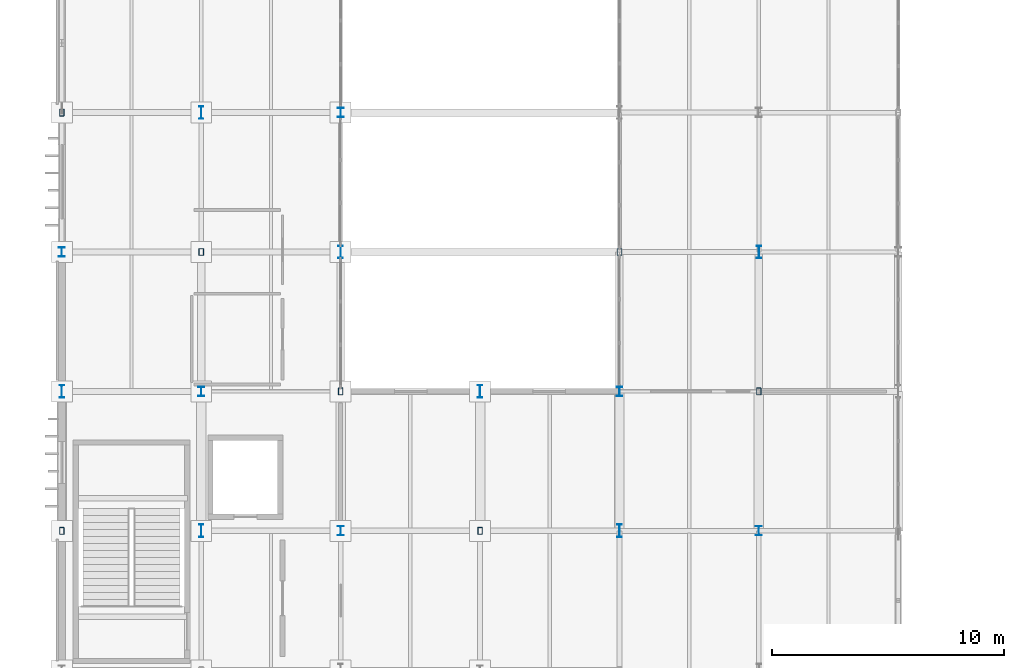
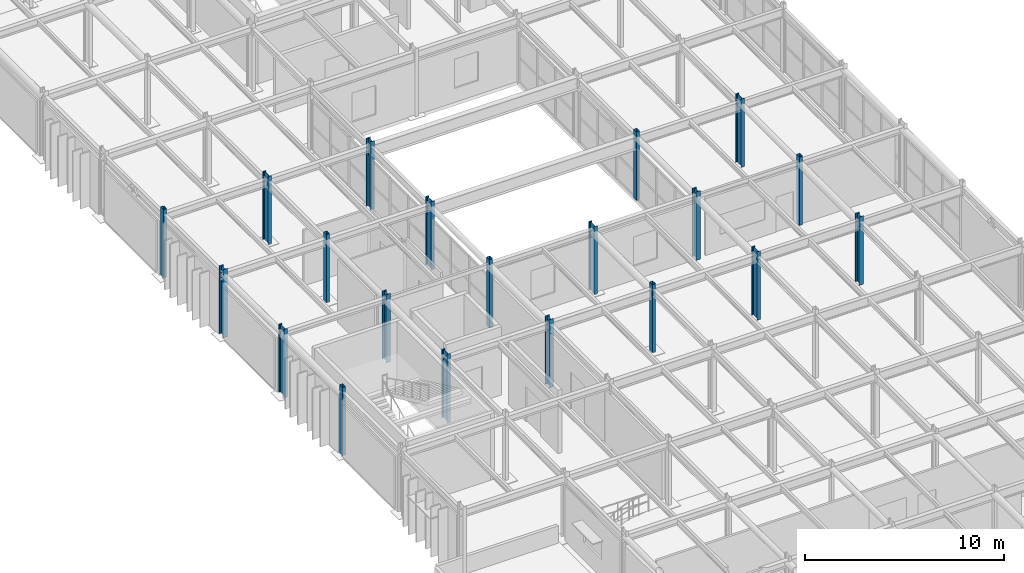
# One storey, part 4 of 116: 20 columns.
"""IFC4 building model written with IfcOpenShell, lengths in metres."""

import ifcopenshell
import ifcopenshell.guid

model = None  # the IFC model being written
_history = None  # IfcOwnerHistory: only IFC2X3 demands one
_inside = {}  # id of a spatial element -> (the spatial element, [elements in it])
_under = {}  # id of a project, library or spatial element -> (it, [spatial elements below it])
_declared = {}  # id of a project -> (the project, [libraries it declares])
_typed = {}  # id of a type object -> (the type object, [elements of that type])
_made_of = {}  # id of a material, layer set ... -> (it, [elements and type objects made of it])


def new_model(schema):
    """Start an empty IFC model of exactly this schema.

    Asked for "IFC4X3", IfcOpenShell would pick the latest addendum, in which some entities
    have other attributes; the version numbers below select the first issue.
    IFC2X3 requires an IfcOwnerHistory on every rooted entity: one is made here for all.
    """
    global model, _history
    if schema == "IFC4X3":
        model = ifcopenshell.file(schema_version=(4, 3, 0, 0))
    else:
        model = ifcopenshell.file(schema=schema)
    _inside.clear()
    _under.clear()
    _declared.clear()
    _typed.clear()
    _made_of.clear()
    _history = None
    if model.schema == "IFC2X3":
        org = make("IfcOrganization", Name="unknown")
        user = make(
            "IfcPersonAndOrganization",
            ThePerson=make("IfcPerson", FamilyName="unknown"),
            TheOrganization=org,
        )
        app = make(
            "IfcApplication",
            ApplicationDeveloper=org,
            Version="unknown",
            ApplicationFullName="unknown",
            ApplicationIdentifier="unknown",
        )
        _history = make(
            "IfcOwnerHistory",
            OwningUser=user,
            OwningApplication=app,
            ChangeAction="ADDED",
            CreationDate=0,
        )
    return model


def make(cls, **values):
    """One entity of the class cls with the attributes given. An attribute that is None is left unset."""
    return model.create_entity(
        cls, **{name: value for name, value in values.items() if value is not None}
    )


def rooted(cls, **values):
    """An entity with a GlobalId (a new one), such as an element, a storey or a relation."""
    return make(cls, GlobalId=ifcopenshell.guid.new(), OwnerHistory=_history, **values)


def si_unit(unit_type, name, prefix=None):
    """IfcSIUnit, for example si_unit("LENGTHUNIT", "METRE", prefix="MILLI")."""
    return make("IfcSIUnit", UnitType=unit_type, Prefix=prefix, Name=name)


def assignment(units):
    """IfcUnitAssignment: the units of a project."""
    return None if units is None else make("IfcUnitAssignment", Units=units)


def point(xyz):
    """IfcCartesianPoint."""
    return None if xyz is None else make("IfcCartesianPoint", Coordinates=xyz)


def direction(xyz):
    """IfcDirection."""
    return None if xyz is None else make("IfcDirection", DirectionRatios=xyz)


def frame(location, z_axis=None, x_axis=None):
    """IfcAxis2Placement3D, a coordinate frame: its origin and axes. An axis left out is left unset."""
    return make(
        "IfcAxis2Placement3D",
        Location=point(location),
        Axis=direction(z_axis),
        RefDirection=direction(x_axis),
    )


def frame_2d(location, x_axis=None):
    """IfcAxis2Placement2D, a coordinate frame in the plane: its origin and x axis."""
    return make(
        "IfcAxis2Placement2D", Location=point(location), RefDirection=direction(x_axis)
    )


def origin():
    """The frame at (0, 0, 0) with its axes left unset."""
    return frame((0.0, 0.0, 0.0))


def origin_2d():
    """The frame at (0, 0) in the plane with its x axis left unset."""
    return frame_2d((0.0, 0.0))


def place(relative_to, where):
    """IfcLocalPlacement: puts the frame where relative to a parent placement (None: the world)."""
    return make(
        "IfcLocalPlacement", PlacementRelTo=relative_to, RelativePlacement=where
    )


def context(
    kind, dimensions, precision=None, world=None, true_north=None, identifier=None
):
    """IfcGeometricRepresentationContext, for example the 3D "Model" context."""
    return make(
        "IfcGeometricRepresentationContext",
        ContextIdentifier=identifier,
        ContextType=kind,
        CoordinateSpaceDimension=dimensions,
        Precision=precision,
        WorldCoordinateSystem=world,
        TrueNorth=true_north,
    )


def subcontext(parent, identifier, kind, view, scale=None):
    """IfcGeometricRepresentationSubContext, for example "Body" below "Model"."""
    return make(
        "IfcGeometricRepresentationSubContext",
        ContextIdentifier=identifier,
        ContextType=kind,
        ParentContext=parent,
        TargetScale=scale,
        TargetView=view,
    )


def project(units=None, contexts=None):
    """IfcProject with its units and contexts."""
    return rooted(
        "IfcProject",
        Name="project",
        RepresentationContexts=contexts,
        UnitsInContext=assignment(units),
    )


def spatial(cls, under=None, at=None, **own):
    """A site, building, storey or space (cls), placed at a placement, below another one or the project."""
    s = rooted(cls, ObjectPlacement=at, **own)
    if under is not None:
        _under.setdefault(under.id(), (under, []))[1].append(s)
    return s


def profile(cls, at=None, kind="AREA", **sizes):
    """A parametric profile (cls). Its sizes go by their IFC names, for example OverallWidth=200.0."""
    return make(cls, ProfileType=kind, Position=at, **sizes)


def hollow_rectangle(**sizes):
    """IfcRectangleHollowProfileDef."""
    return profile("IfcRectangleHollowProfileDef", **sizes)


def i_section(**sizes):
    """IfcIShapeProfileDef."""
    return profile("IfcIShapeProfileDef", **sizes)


def extrude(swept, where, along, depth):
    """IfcExtrudedAreaSolid: the profile swept, set in the frame where, extruded along a direction by depth."""
    return make(
        "IfcExtrudedAreaSolid",
        SweptArea=swept,
        Position=where,
        ExtrudedDirection=direction(along),
        Depth=depth,
    )


def shape(context_of_items, identifier, shape_type, items):
    """IfcShapeRepresentation: the items that make up one representation, for example the "Body"."""
    return make(
        "IfcShapeRepresentation",
        ContextOfItems=context_of_items,
        RepresentationIdentifier=identifier,
        RepresentationType=shape_type,
        Items=items,
    )


def material(Name=None, Category=None):
    """IfcMaterial."""
    return make("IfcMaterial", Name=Name, Category=Category)


def material_profile(
    of_material, cross_section, Name=None, Category=None, Priority=None
):
    """IfcMaterialProfile: a cross section and its material."""
    return make(
        "IfcMaterialProfile",
        Name=Name,
        Material=of_material,
        Profile=cross_section,
        Priority=Priority,
        Category=Category,
    )


def profile_set(profiles, Name=None, composite=None):
    """IfcMaterialProfileSet."""
    return make(
        "IfcMaterialProfileSet",
        Name=Name,
        MaterialProfiles=profiles,
        CompositeProfile=composite,
    )


def made_of(thing, what):
    """Note that an element or type object is made of a material, layer set ...; save() writes the relation."""
    if what is not None:
        _made_of.setdefault(what.id(), (what, []))[1].append(thing)
    return thing


def type_object(cls, material=None, **own):
    """A type object (cls), such as IfcWallType, which elements share."""
    return made_of(rooted(cls, **own), material)


def element(
    cls,
    number,
    at=None,
    inside=None,
    cuts=None,
    type_object=None,
    material=None,
    context=None,
    identifier="Body",
    shape_type=None,
    held_by="IfcProductDefinitionShape",
    body=None,
    shapes=None,
    **own,
):
    """One element of the class cls, such as IfcWall. Its Tag is "e" and its number.

    at: its placement. inside: the storey or other place that contains it. cuts: it is an
    opening in that element (IfcRelVoidsElement). A single representation is given by context,
    identifier, shape_type and body (its items); several are given by shapes. held_by: the class
    of the entity that holds the representations. save() writes the other relations.
    """
    e = rooted(cls, Tag="e%d" % number, ObjectPlacement=at, **own)
    if body is not None:
        shapes = [shape(context, identifier, shape_type, body)]
    if shapes is not None:
        e.Representation = make(held_by, Representations=shapes)
    if inside is not None:
        _inside.setdefault(inside.id(), (inside, []))[1].append(e)
    if cuts is not None:
        rooted(
            "IfcRelVoidsElement", RelatingBuildingElement=cuts, RelatedOpeningElement=e
        )
    if type_object is not None:
        _typed.setdefault(type_object.id(), (type_object, []))[1].append(e)
    return made_of(e, material)


def aggregate(whole, parts):
    """IfcRelAggregates: a whole, such as a stair, and the parts it consists of."""
    return rooted("IfcRelAggregates", RelatingObject=whole, RelatedObjects=parts)


def save(model, path):
    """Write the relations noted so far, then the file.

    IfcRelAggregates (storeys below a building ...), IfcRelContainedInSpatialStructure (elements
    in a storey), IfcRelDefinesByType, IfcRelAssociatesMaterial and IfcRelDeclares: one each for
    every whole, place, type object, material and project.
    """
    for whole, parts in _under.values():
        aggregate(whole, parts)
    for where, things in _inside.values():
        rooted(
            "IfcRelContainedInSpatialStructure",
            RelatedElements=things,
            RelatingStructure=where,
        )
    for kind, things in _typed.values():
        rooted("IfcRelDefinesByType", RelatedObjects=things, RelatingType=kind)
    for what, things in _made_of.values():
        rooted("IfcRelAssociatesMaterial", RelatedObjects=things, RelatingMaterial=what)
    for by, libraries in _declared.values():
        rooted("IfcRelDeclares", RelatingContext=by, RelatedDefinitions=libraries)
    model.write(path)


model = new_model("IFC4")

# Units and contexts
model_context = context("Model", 3, precision=1e-05, world=origin(), true_north=direction((0.0, 1.0)))
body_context = subcontext(model_context, "Body", "Model", "MODEL_VIEW")
ifc_project = project(units=[si_unit("LENGTHUNIT", "METRE"), si_unit("AREAUNIT", "SQUARE_METRE"), si_unit("VOLUMEUNIT", "CUBIC_METRE"), si_unit("PLANEANGLEUNIT", "RADIAN"), si_unit("MASSUNIT", "GRAM", prefix="KILO")], contexts=[model_context])

# Site, building, storey
site_placement = place(None, origin())
site = spatial("IfcSite", under=ifc_project, at=site_placement, CompositionType="ELEMENT")
building_placement = place(site_placement, origin())
building = spatial("IfcBuilding", under=site, at=building_placement, Name="Varnakota Square Police Headquarters", CompositionType="ELEMENT")
storey_placement = place(building_placement, frame((0.0, 0.0, 9.300048828125)))
storey = spatial("IfcBuildingStorey", under=building, at=storey_placement, Name="L02", CompositionType="ELEMENT", Elevation=9.300048828125)

# Columns
ifc_material = material(Name="Steel IS 2062 Grade 350", Category="steel")
ifc_material_profile_1 = material_profile(ifc_material, i_section(OverallWidth=0.25, OverallDepth=0.39990234375, WebThickness=0.010498046875, FlangeThickness=0.0126953125, FilletRadius=0.013916015625, at=origin_2d()), Name="ISHB 400")
ifc_profile_set_1 = profile_set([ifc_material_profile_1], Name="Steel IS 2062 Grade 350")
column_type_1 = type_object("IfcColumnType", Name="COL-ISHB400", PredefinedType="COLUMN", material=ifc_profile_set_1)
for number, where, z_axis, x_axis, name in (
    (1, (6.0, 45.0, 0.0), (0.0, 0.0, 1.0), (1.0, 0.0, 0.0), "Column X0060-Y0450 L02"),
    (2, (12.0, 39.0, 0.0), (0.0, 0.0, 1.0), (1.0, 0.0, 0.0), "Column X0120-Y0390 L02"),
    (3, (18.0, 33.0, 0.0), (0.0, 0.0, 1.0), (1.0, 0.0, 0.0), "Column X0180-Y0330 L02"),
    (4, (18.0, 51.0, 0.0), (0.0, 0.0, 1.0), (1.0, 0.0, 0.0), "Column X0180-Y0510 L02"),
    (5, (30.0, 39.0, 0.0), (0.0, 0.0, 1.0), (1.0, 0.0, 0.0), "Column X0300-Y0390 L02"),
    (6, (36.0, 33.0, 0.0), (0.0, 0.0, 1.0), (1.0, 0.0, 0.0), "Column X0360-Y0330 L02"),
):
    element("IfcColumn", number, at=place(storey_placement, frame(where, z_axis=z_axis, x_axis=x_axis)), inside=storey, type_object=column_type_1, Name=name, PredefinedType="COLUMN", context=body_context, shape_type="SweptSolid", body=[
        extrude(i_section(OverallWidth=0.25, OverallDepth=0.39990234375, WebThickness=0.010498046875, FlangeThickness=0.0126953125, FilletRadius=0.013916015625, at=origin_2d()), origin(), (0.0, 0.0, 1.0), 4.199951171875),
    ])
ifc_material_profile_2 = material_profile(ifc_material, i_section(OverallWidth=0.18994140625, OverallDepth=0.550048828125, WebThickness=0.01123046875, FlangeThickness=0.019287109375, FilletRadius=0.01806640625, at=origin_2d()), Name="ISMB 550")
ifc_profile_set_2 = profile_set([ifc_material_profile_2], Name="Steel IS 2062 Grade 350")
column_type_2 = type_object("IfcColumnType", Name="COL-ISMB550", PredefinedType="COLUMN", material=ifc_profile_set_2)
for number, where, z_axis, x_axis, name in (
    (7, (6.0, 39.0, 0.0), (0.0, 0.0, 1.0), (1.0, 0.0, 0.0), "Column X0060-Y0390 L02"),
    (8, (12.0, 33.0, 0.0), (0.0, 0.0, 1.0), (1.0, 0.0, 0.0), "Column X0120-Y0330 L02"),
    (9, (12.0, 51.0, 0.0), (0.0, 0.0, 1.0), (1.0, 0.0, 0.0), "Column X0120-Y0510 L02"),
    (10, (18.0, 45.0, 0.0), (0.0, 0.0, 1.0), (1.0, 0.0, 0.0), "Column X0180-Y0450 L02"),
    (11, (24.0, 39.0, 0.0), (0.0, 0.0, 1.0), (1.0, 0.0, 0.0), "Column X0240-Y0390 L02"),
    (12, (30.0, 33.0, 0.0), (0.0, 0.0, 1.0), (1.0, 0.0, 0.0), "Column X0300-Y0330 L02"),
    (13, (36.0, 45.0, 0.0), (0.0, 0.0, 1.0), (1.0, 0.0, 0.0), "Column X0360-Y0450 L02"),
):
    element("IfcColumn", number, at=place(storey_placement, frame(where, z_axis=z_axis, x_axis=x_axis)), inside=storey, type_object=column_type_2, Name=name, PredefinedType="COLUMN", context=body_context, shape_type="SweptSolid", body=[
        extrude(i_section(OverallWidth=0.18994140625, OverallDepth=0.550048828125, WebThickness=0.01123046875, FlangeThickness=0.019287109375, FilletRadius=0.01806640625, at=origin_2d()), origin(), (0.0, 0.0, 1.0), 4.199951171875),
    ])
ifc_material_profile_3 = material_profile(ifc_material, hollow_rectangle(XDim=0.199951171875, YDim=0.300048828125, WallThickness=0.011962890625, InnerFilletRadius=0.011962890625, OuterFilletRadius=0.02392578125, at=origin_2d()), Name="RHS 300x200x12")
ifc_profile_set_3 = profile_set([ifc_material_profile_3], Name="Steel IS 2062 Grade 350")
column_type_3 = type_object("IfcColumnType", Name="COL-RHS300", PredefinedType="COLUMN", material=ifc_profile_set_3)
for number, where, z_axis, x_axis, name in (
    (14, (6.0, 33.0, 0.0), (0.0, 0.0, 1.0), (1.0, 0.0, 0.0), "Column X0060-Y0330 L02"),
    (15, (6.0, 51.0, 0.0), (0.0, 0.0, 1.0), (1.0, 0.0, 0.0), "Column X0060-Y0510 L02"),
    (16, (12.0, 45.0, 0.0), (0.0, 0.0, 1.0), (1.0, 0.0, 0.0), "Column X0120-Y0450 L02"),
    (17, (18.0, 39.0, 0.0), (0.0, 0.0, 1.0), (1.0, 0.0, 0.0), "Column X0180-Y0390 L02"),
    (18, (24.0, 33.0, 0.0), (0.0, 0.0, 1.0), (1.0, 0.0, 0.0), "Column X0240-Y0330 L02"),
    (19, (30.0, 45.0, 0.0), (0.0, 0.0, 1.0), (1.0, 0.0, 0.0), "Column X0300-Y0450 L02"),
    (20, (36.0, 39.0, 0.0), (0.0, 0.0, 1.0), (1.0, 0.0, 0.0), "Column X0360-Y0390 L02"),
):
    element("IfcColumn", number, at=place(storey_placement, frame(where, z_axis=z_axis, x_axis=x_axis)), inside=storey, type_object=column_type_3, Name=name, PredefinedType="COLUMN", context=body_context, shape_type="SweptSolid", body=[
        extrude(hollow_rectangle(XDim=0.199951171875, YDim=0.300048828125, WallThickness=0.011962890625, InnerFilletRadius=0.011962890625, OuterFilletRadius=0.02392578125, at=origin_2d()), origin(), (0.0, 0.0, 1.0), 4.199951171875),
    ])

save(model, "model.ifc")
